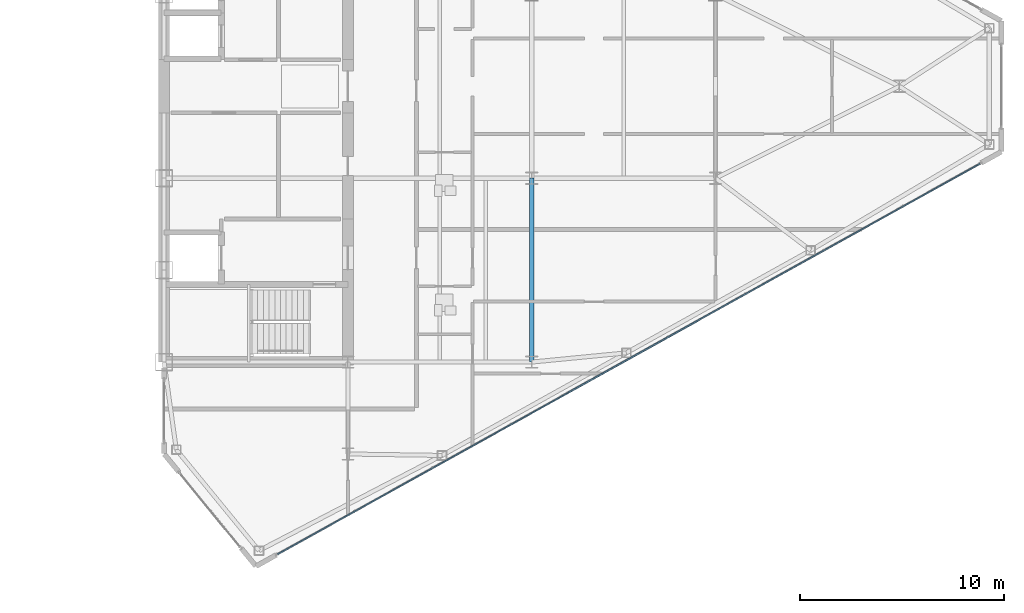
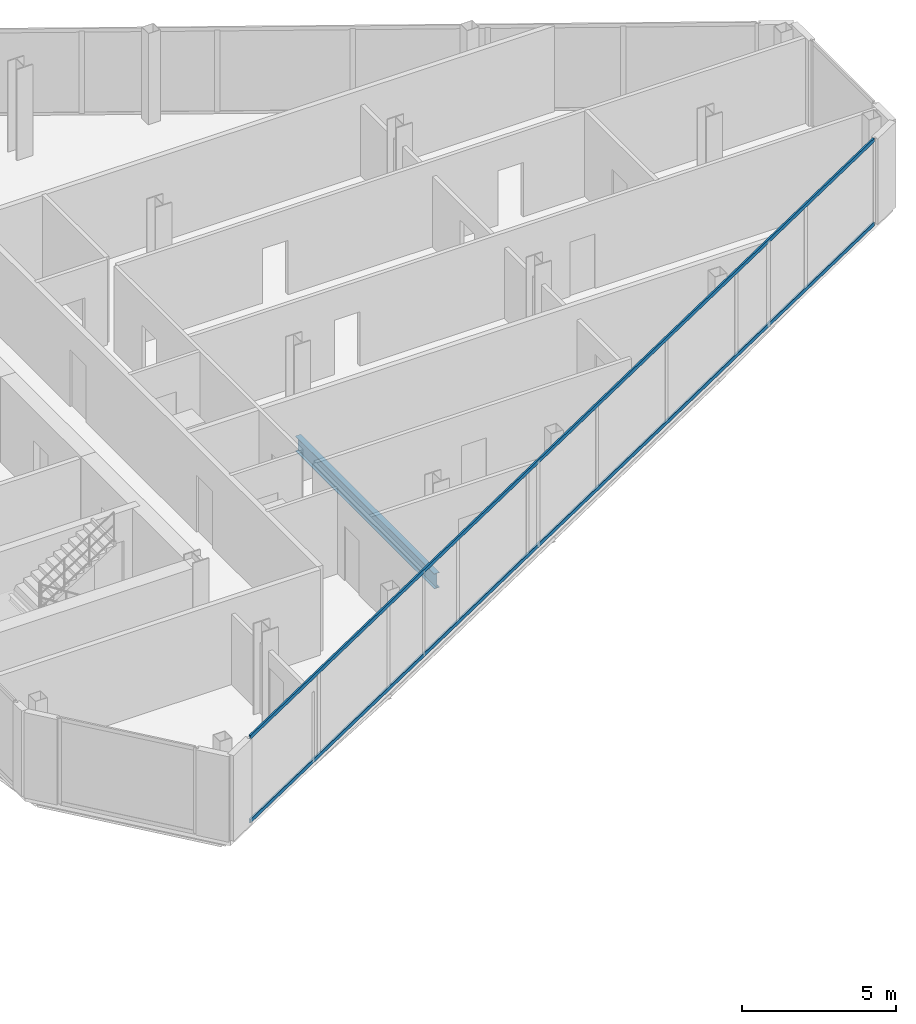
# One storey, part 12 of 26: 2 members, 1 beam, 1 element without a shape of its own.
"""IFC4 building model written with IfcOpenShell, lengths in metres."""

from ifc_helpers import new_model, si_unit, direction, frame, origin, origin_2d, place, context, subcontext, project, spatial, rectangle, i_section, extrude, source, transform, mapped, material, layer, layer_set, material_profile, profile_set, type_object, type_shapes, element, aggregate, save


model = new_model("IFC4")

# Units and contexts
model_context = context("Model", 3, precision=1e-05, world=origin(), true_north=direction((0.0, 1.0)))
body_context = subcontext(model_context, "Body", "Model", "MODEL_VIEW")
ifc_project = project(units=[si_unit("LENGTHUNIT", "METRE"), si_unit("AREAUNIT", "SQUARE_METRE"), si_unit("VOLUMEUNIT", "CUBIC_METRE"), si_unit("PLANEANGLEUNIT", "RADIAN"), si_unit("MASSUNIT", "GRAM", prefix="KILO")], contexts=[model_context])

# Site, building, storey
site_placement = place(None, origin())
site = spatial("IfcSite", under=ifc_project, at=site_placement, CompositionType="ELEMENT")
building_placement = place(site_placement, origin())
building = spatial("IfcBuilding", under=site, at=building_placement, Name="Seokmaru Belvedere", CompositionType="ELEMENT")
storey_placement = place(building_placement, frame((0.0, 0.0, 170.699951171875)))
storey = spatial("IfcBuildingStorey", under=building, at=storey_placement, Name="L45", CompositionType="ELEMENT", Elevation=170.699951171875)

# Beam
ifc_material_1 = material(Name="Steel SM355 (355 MPa)", Category="steel")
ifc_material_profile_1 = material_profile(ifc_material_1, i_section(OverallWidth=0.199951171875, OverallDepth=0.60009765625, WebThickness=0.010986328125, FlangeThickness=0.01708984375, at=origin_2d()), Name="H-600x200x11x17")
ifc_profile_set_1 = profile_set([ifc_material_profile_1], Name="Steel SM355 (355 MPa)")
beam_type = type_object("IfcBeamType", Name="Primary Floor Girder H-600", PredefinedType="BEAM", material=ifc_profile_set_1)
shared_shape_1 = source(origin(), body_context, "Body", "SweptSolid", [
    extrude(i_section(OverallWidth=0.199951171875, OverallDepth=0.60009765625, WebThickness=0.010986328125, FlangeThickness=0.01708984375, at=origin_2d()), origin(), (0.0, 0.0, 1.0), 9.0),
])
type_shapes(beam_type, [shared_shape_1])
beam_placement = place(storey_placement, frame((45.5, -13.5, -0.52001953125), z_axis=(0.0, 1.0, 0.0), x_axis=(-1.0, 0.0, 0.0)))
element("IfcBeam", 1, at=beam_placement, inside=storey, type_object=beam_type, Name="L45 E Interior Grid Girder 1", PredefinedType="BEAM", context=body_context, shape_type="MappedRepresentation", body=[
    mapped(shared_shape_1, transform((0.0, 0.0, 0.0), scale=1.0)),
])

# Curtain wall, members
ifc_material_2 = material(Name="Bronze Triple Insulating Glass", Category="glass")
ifc_layer = layer(ifc_material_2, 0.179931640625)
ifc_layer_set = layer_set([ifc_layer], Name="Bronze Triple Insulating Glass")
curtain_wall_type = type_object("IfcCurtainWallType", Name="High-Rise Wind-Corner Curtain Wall System CW-5", PredefinedType="NOTDEFINED", material=ifc_layer_set)
curtain_wall_placement = place(storey_placement, origin())
curtain_wall = element("IfcCurtainWall", 2, at=curtain_wall_placement, inside=storey, type_object=curtain_wall_type, Name="L45 Curtain Wall EF1", PredefinedType="NOTDEFINED")
ifc_material_3 = material(Name="Anodised Bronze Aluminium", Category="aluminium")
ifc_material_profile_2 = material_profile(ifc_material_3, rectangle(XDim=0.06494140625, YDim=0.14990234375, at=origin_2d()), Name="CW-T-65x150")
ifc_profile_set_2 = profile_set([ifc_material_profile_2], Name="Anodised Bronze Aluminium")
member_type = type_object("IfcMemberType", Name="Bronze Unitised Transom 65x150", PredefinedType="USERDEFINED", material=ifc_profile_set_2)
shared_shape_2 = source(origin(), body_context, "Body", "SweptSolid", [
    extrude(rectangle(XDim=0.06494140625, YDim=0.14990234375, at=origin_2d()), origin(), (0.0, 0.0, 1.0), 39.33544921875),
])
type_shapes(member_type, [shared_shape_2])
member_1_placement = place(storey_placement, frame((33.061767578125, -22.909423828125, 0.032470703125), z_axis=(0.873932045133, 0.486048125693, 0.0), x_axis=(-0.486048125693, 0.873932045133, 0.0)))
member_1 = element("IfcMember", 3, at=member_1_placement, type_object=member_type, Name="CW:L45:EF1 Continuous Transom 1", ObjectType="TRANSOM", PredefinedType="USERDEFINED", context=body_context, shape_type="MappedRepresentation", body=[
    mapped(shared_shape_2, transform((0.0, 0.0, 0.0), scale=1.0)),
])
member_2_placement = place(storey_placement, frame((33.061767578125, -22.909423828125, 3.34765625), z_axis=(0.873932045133, 0.486048125693, 0.0), x_axis=(-0.486048125693, 0.873932045133, 0.0)))
member_2 = element("IfcMember", 4, at=member_2_placement, type_object=member_type, Name="CW:L45:EF1 Continuous Transom 2", ObjectType="TRANSOM", PredefinedType="USERDEFINED", context=body_context, shape_type="MappedRepresentation", body=[
    mapped(shared_shape_2, transform((0.0, 0.0, 0.0), scale=1.0)),
])
aggregate(curtain_wall, [member_1, member_2])

save(model, "model.ifc")
